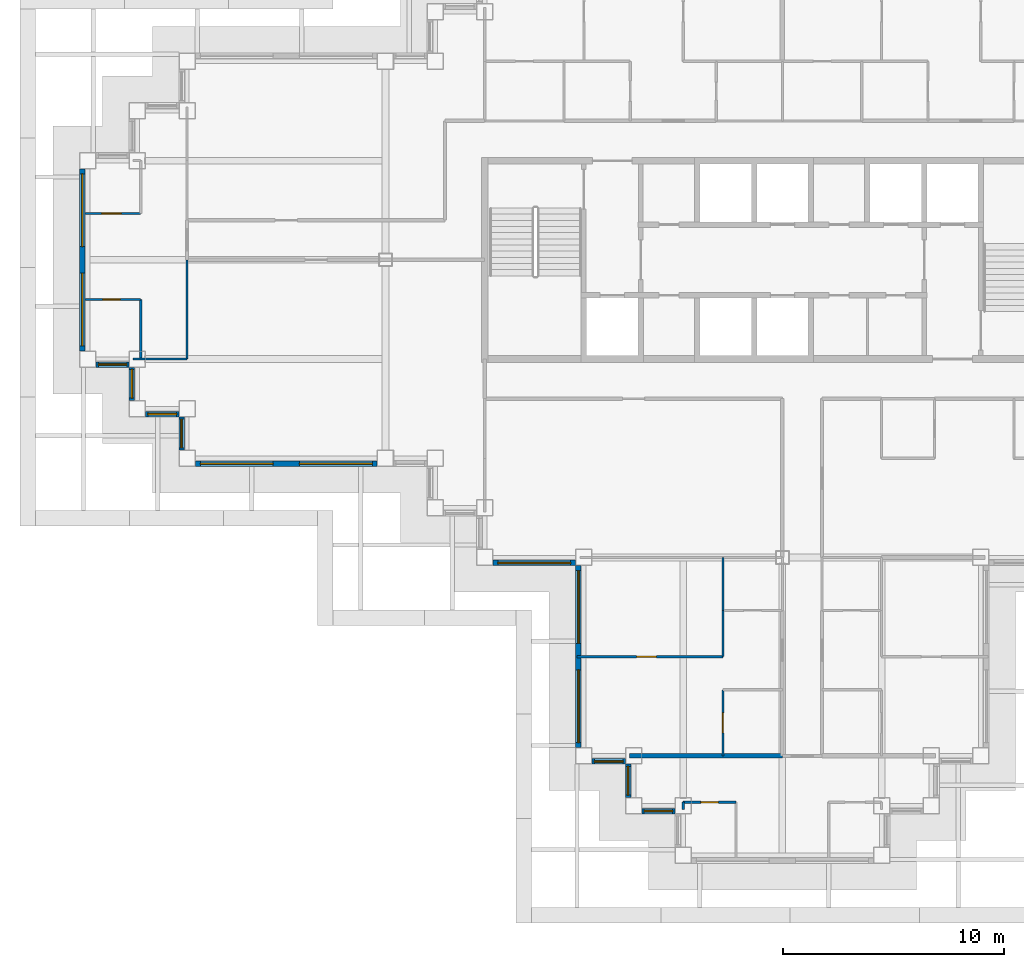
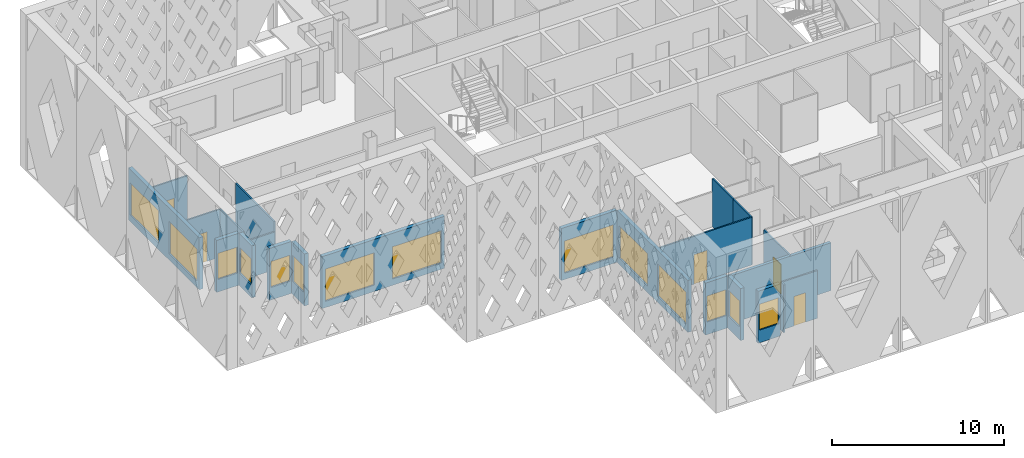
# One storey, part 3 of 18: 23 walls, 14 windows, 5 doors, 19 openings.
"""IFC4 building model written with IfcOpenShell, lengths in metres."""

import ifcopenshell
import ifcopenshell.guid

model = None  # the IFC model being written
_history = None  # IfcOwnerHistory: only IFC2X3 demands one
_inside = {}  # id of a spatial element -> (the spatial element, [elements in it])
_under = {}  # id of a project, library or spatial element -> (it, [spatial elements below it])
_declared = {}  # id of a project -> (the project, [libraries it declares])
_typed = {}  # id of a type object -> (the type object, [elements of that type])
_made_of = {}  # id of a material, layer set ... -> (it, [elements and type objects made of it])


def new_model(schema):
    """Start an empty IFC model of exactly this schema.

    Asked for "IFC4X3", IfcOpenShell would pick the latest addendum, in which some entities
    have other attributes; the version numbers below select the first issue.
    IFC2X3 requires an IfcOwnerHistory on every rooted entity: one is made here for all.
    """
    global model, _history
    if schema == "IFC4X3":
        model = ifcopenshell.file(schema_version=(4, 3, 0, 0))
    else:
        model = ifcopenshell.file(schema=schema)
    _inside.clear()
    _under.clear()
    _declared.clear()
    _typed.clear()
    _made_of.clear()
    _history = None
    if model.schema == "IFC2X3":
        org = make("IfcOrganization", Name="unknown")
        user = make(
            "IfcPersonAndOrganization",
            ThePerson=make("IfcPerson", FamilyName="unknown"),
            TheOrganization=org,
        )
        app = make(
            "IfcApplication",
            ApplicationDeveloper=org,
            Version="unknown",
            ApplicationFullName="unknown",
            ApplicationIdentifier="unknown",
        )
        _history = make(
            "IfcOwnerHistory",
            OwningUser=user,
            OwningApplication=app,
            ChangeAction="ADDED",
            CreationDate=0,
        )
    return model


def make(cls, **values):
    """One entity of the class cls with the attributes given. An attribute that is None is left unset."""
    return model.create_entity(
        cls, **{name: value for name, value in values.items() if value is not None}
    )


def rooted(cls, **values):
    """An entity with a GlobalId (a new one), such as an element, a storey or a relation."""
    return make(cls, GlobalId=ifcopenshell.guid.new(), OwnerHistory=_history, **values)


def si_unit(unit_type, name, prefix=None):
    """IfcSIUnit, for example si_unit("LENGTHUNIT", "METRE", prefix="MILLI")."""
    return make("IfcSIUnit", UnitType=unit_type, Prefix=prefix, Name=name)


def assignment(units):
    """IfcUnitAssignment: the units of a project."""
    return None if units is None else make("IfcUnitAssignment", Units=units)


def point(xyz):
    """IfcCartesianPoint."""
    return None if xyz is None else make("IfcCartesianPoint", Coordinates=xyz)


def direction(xyz):
    """IfcDirection."""
    return None if xyz is None else make("IfcDirection", DirectionRatios=xyz)


def frame(location, z_axis=None, x_axis=None):
    """IfcAxis2Placement3D, a coordinate frame: its origin and axes. An axis left out is left unset."""
    return make(
        "IfcAxis2Placement3D",
        Location=point(location),
        Axis=direction(z_axis),
        RefDirection=direction(x_axis),
    )


def frame_2d(location, x_axis=None):
    """IfcAxis2Placement2D, a coordinate frame in the plane: its origin and x axis."""
    return make(
        "IfcAxis2Placement2D", Location=point(location), RefDirection=direction(x_axis)
    )


def origin():
    """The frame at (0, 0, 0) with its axes left unset."""
    return frame((0.0, 0.0, 0.0))


def place(relative_to, where):
    """IfcLocalPlacement: puts the frame where relative to a parent placement (None: the world)."""
    return make(
        "IfcLocalPlacement", PlacementRelTo=relative_to, RelativePlacement=where
    )


def context(
    kind, dimensions, precision=None, world=None, true_north=None, identifier=None
):
    """IfcGeometricRepresentationContext, for example the 3D "Model" context."""
    return make(
        "IfcGeometricRepresentationContext",
        ContextIdentifier=identifier,
        ContextType=kind,
        CoordinateSpaceDimension=dimensions,
        Precision=precision,
        WorldCoordinateSystem=world,
        TrueNorth=true_north,
    )


def subcontext(parent, identifier, kind, view, scale=None):
    """IfcGeometricRepresentationSubContext, for example "Body" below "Model"."""
    return make(
        "IfcGeometricRepresentationSubContext",
        ContextIdentifier=identifier,
        ContextType=kind,
        ParentContext=parent,
        TargetScale=scale,
        TargetView=view,
    )


def project(units=None, contexts=None):
    """IfcProject with its units and contexts."""
    return rooted(
        "IfcProject",
        Name="project",
        RepresentationContexts=contexts,
        UnitsInContext=assignment(units),
    )


def spatial(cls, under=None, at=None, **own):
    """A site, building, storey or space (cls), placed at a placement, below another one or the project."""
    s = rooted(cls, ObjectPlacement=at, **own)
    if under is not None:
        _under.setdefault(under.id(), (under, []))[1].append(s)
    return s


def profile(cls, at=None, kind="AREA", **sizes):
    """A parametric profile (cls). Its sizes go by their IFC names, for example OverallWidth=200.0."""
    return make(cls, ProfileType=kind, Position=at, **sizes)


def rectangle(**sizes):
    """IfcRectangleProfileDef."""
    return profile("IfcRectangleProfileDef", **sizes)


def extrude(swept, where, along, depth):
    """IfcExtrudedAreaSolid: the profile swept, set in the frame where, extruded along a direction by depth."""
    return make(
        "IfcExtrudedAreaSolid",
        SweptArea=swept,
        Position=where,
        ExtrudedDirection=direction(along),
        Depth=depth,
    )


def shape(context_of_items, identifier, shape_type, items):
    """IfcShapeRepresentation: the items that make up one representation, for example the "Body"."""
    return make(
        "IfcShapeRepresentation",
        ContextOfItems=context_of_items,
        RepresentationIdentifier=identifier,
        RepresentationType=shape_type,
        Items=items,
    )


def material(Name=None, Category=None):
    """IfcMaterial."""
    return make("IfcMaterial", Name=Name, Category=Category)


def layer(
    of_material, thickness, ventilated=None, Name=None, Category=None, Priority=None
):
    """IfcMaterialLayer: one layer of a wall or slab, of a material (None: an air gap)."""
    return make(
        "IfcMaterialLayer",
        Material=of_material,
        LayerThickness=thickness,
        IsVentilated=ventilated,
        Name=Name,
        Category=Category,
        Priority=Priority,
    )


def layer_set(layers, Name=None):
    """IfcMaterialLayerSet."""
    return make("IfcMaterialLayerSet", MaterialLayers=layers, LayerSetName=Name)


def made_of(thing, what):
    """Note that an element or type object is made of a material, layer set ...; save() writes the relation."""
    if what is not None:
        _made_of.setdefault(what.id(), (what, []))[1].append(thing)
    return thing


def type_object(cls, material=None, **own):
    """A type object (cls), such as IfcWallType, which elements share."""
    return made_of(rooted(cls, **own), material)


def element(
    cls,
    number,
    at=None,
    inside=None,
    cuts=None,
    type_object=None,
    material=None,
    context=None,
    identifier="Body",
    shape_type=None,
    held_by="IfcProductDefinitionShape",
    body=None,
    shapes=None,
    **own,
):
    """One element of the class cls, such as IfcWall. Its Tag is "e" and its number.

    at: its placement. inside: the storey or other place that contains it. cuts: it is an
    opening in that element (IfcRelVoidsElement). A single representation is given by context,
    identifier, shape_type and body (its items); several are given by shapes. held_by: the class
    of the entity that holds the representations. save() writes the other relations.
    """
    e = rooted(cls, Tag="e%d" % number, ObjectPlacement=at, **own)
    if body is not None:
        shapes = [shape(context, identifier, shape_type, body)]
    if shapes is not None:
        e.Representation = make(held_by, Representations=shapes)
    if inside is not None:
        _inside.setdefault(inside.id(), (inside, []))[1].append(e)
    if cuts is not None:
        rooted(
            "IfcRelVoidsElement", RelatingBuildingElement=cuts, RelatedOpeningElement=e
        )
    if type_object is not None:
        _typed.setdefault(type_object.id(), (type_object, []))[1].append(e)
    return made_of(e, material)


def fill(opening, filler):
    """IfcRelFillsElement: the door or window that sits in an opening."""
    return rooted(
        "IfcRelFillsElement",
        RelatingOpeningElement=opening,
        RelatedBuildingElement=filler,
    )


def aggregate(whole, parts):
    """IfcRelAggregates: a whole, such as a stair, and the parts it consists of."""
    return rooted("IfcRelAggregates", RelatingObject=whole, RelatedObjects=parts)


def save(model, path):
    """Write the relations noted so far, then the file.

    IfcRelAggregates (storeys below a building ...), IfcRelContainedInSpatialStructure (elements
    in a storey), IfcRelDefinesByType, IfcRelAssociatesMaterial and IfcRelDeclares: one each for
    every whole, place, type object, material and project.
    """
    for whole, parts in _under.values():
        aggregate(whole, parts)
    for where, things in _inside.values():
        rooted(
            "IfcRelContainedInSpatialStructure",
            RelatedElements=things,
            RelatingStructure=where,
        )
    for kind, things in _typed.values():
        rooted("IfcRelDefinesByType", RelatedObjects=things, RelatingType=kind)
    for what, things in _made_of.values():
        rooted("IfcRelAssociatesMaterial", RelatedObjects=things, RelatingMaterial=what)
    for by, libraries in _declared.values():
        rooted("IfcRelDeclares", RelatingContext=by, RelatedDefinitions=libraries)
    model.write(path)


model = new_model("IFC4")

# Units and contexts
model_context = context("Model", 3, precision=1e-05, world=origin(), true_north=direction((0.0, 1.0)))
body_context = subcontext(model_context, "Body", "Model", "MODEL_VIEW")
ifc_project = project(units=[si_unit("LENGTHUNIT", "METRE"), si_unit("AREAUNIT", "SQUARE_METRE"), si_unit("VOLUMEUNIT", "CUBIC_METRE"), si_unit("PLANEANGLEUNIT", "RADIAN"), si_unit("MASSUNIT", "GRAM", prefix="KILO")], contexts=[model_context])

# Site, building, storey
site_placement = place(None, origin())
site = spatial("IfcSite", under=ifc_project, at=site_placement, CompositionType="ELEMENT")
building_placement = place(site_placement, origin())
building = spatial("IfcBuilding", under=site, at=building_placement, Name="Caravel Reach Hotel and Residences", CompositionType="ELEMENT")
storey_placement = place(building_placement, frame((0.0, 0.0, 176.5)))
storey = spatial("IfcBuildingStorey", under=building, at=storey_placement, Name="L44", CompositionType="ELEMENT", Elevation=176.5)

# Wall, opening, door
ifc_material_1 = material(Name="Gypsum board on steel stud", Category="steel")
ifc_layer_1 = layer(ifc_material_1, 0.10009765625)
ifc_layer_set_1 = layer_set([ifc_layer_1], Name="Bathroom pod wall 100 mm")
wall_type_1 = type_object("IfcWallType", Name="Bathroom pod wall 100 mm", PredefinedType="PARTITIONING", material=ifc_layer_set_1)
wall_1_placement = place(storey_placement, frame((27.0, 2.39990234375, 0.0), z_axis=(0.0, 0.0, 1.0), x_axis=(1.0, 0.0, 0.0)))
wall_1 = element("IfcWall", 1, at=wall_1_placement, inside=storey, type_object=wall_type_1, Name="L44 wall w092", PredefinedType="PARTITIONING", context=body_context, shape_type="SweptSolid", body=[
    extrude(rectangle(XDim=2.39990234375, YDim=0.10009765625, at=frame_2d((1.199951171875, 0.0))), origin(), (0.0, 0.0, 1.0), 3.39990234375),
])
opening_1_placement = place(wall_1_placement, frame((0.800048828125, 0.0, 0.0)))
opening_1 = element("IfcOpeningElement", 2, at=opening_1_placement, cuts=wall_1, Name="Opening D44-055", PredefinedType="OPENING", context=body_context, shape_type="SweptSolid", body=[
    extrude(rectangle(XDim=0.800048828125, YDim=2.10009765625, at=frame_2d((0.39990234375, 1.050048828125))), frame((0.0, 0.06005859375, 0.0), z_axis=(0.0, -1.0, 0.0), x_axis=(1.0, 0.0, 0.0)), (0.0, 0.0, 1.0), 0.1201171875),
])
ifc_material_2 = material(Name="Timber and steel door leaf", Category="steel")
door_type_1 = type_object("IfcDoorType", Name="Bathroom door 800 x 2100", OperationType="SINGLE_SWING_LEFT", PredefinedType="DOOR", material=ifc_material_2)
door_1_placement = place(opening_1_placement, origin())
door_1 = element("IfcDoor", 3, at=door_1_placement, inside=storey, type_object=door_type_1, Name="door D44-055", OperationType="SINGLE_SWING_LEFT", OverallHeight=2.10009765625, OverallWidth=0.800048828125, PredefinedType="DOOR", context=body_context, shape_type="SweptSolid", body=[
    extrude(rectangle(XDim=0.800048828125, YDim=2.10009765625, at=frame_2d((0.39990234375, 1.050048828125))), frame((0.0, 0.02490234375, 0.0), z_axis=(0.0, -1.0, 0.0), x_axis=(1.0, 0.0, 0.0)), (0.0, 0.0, 1.0), 0.050048828125),
])
fill(opening_1, door_1)

wall_2_placement = place(storey_placement, frame((-0.125, 25.199951171875, 0.0), z_axis=(0.0, 0.0, 1.0), x_axis=(1.0, 0.0, 0.0)))
wall_2 = element("IfcWall", 4, at=wall_2_placement, inside=storey, type_object=wall_type_1, Name="L44 wall w096", PredefinedType="PARTITIONING", context=body_context, shape_type="SweptSolid", body=[
    extrude(rectangle(XDim=2.52490234375, YDim=0.10009765625, at=frame_2d((1.262451171875, 0.0))), origin(), (0.0, 0.0, 1.0), 3.39990234375),
])
opening_2_placement = place(wall_2_placement, frame((0.800048828125, 0.0, 0.0)))
opening_2 = element("IfcOpeningElement", 5, at=opening_2_placement, cuts=wall_2, Name="Opening D44-049", PredefinedType="OPENING", context=body_context, shape_type="SweptSolid", body=[
    extrude(rectangle(XDim=0.800048828125, YDim=2.10009765625, at=frame_2d((0.39990234375, 1.050048828125))), frame((0.0, 0.06005859375, 0.0), z_axis=(0.0, -1.0, 0.0), x_axis=(1.0, 0.0, 0.0)), (0.0, 0.0, 1.0), 0.1201171875),
])
door_2_placement = place(opening_2_placement, origin())
door_2 = element("IfcDoor", 6, at=door_2_placement, inside=storey, type_object=door_type_1, Name="door D44-049", OperationType="SINGLE_SWING_RIGHT", OverallHeight=2.10009765625, OverallWidth=0.800048828125, PredefinedType="DOOR", context=body_context, shape_type="SweptSolid", body=[
    extrude(rectangle(XDim=0.800048828125, YDim=2.10009765625, at=frame_2d((0.39990234375, 1.050048828125))), frame((0.0, 0.02490234375, 0.0), z_axis=(0.0, -1.0, 0.0), x_axis=(1.0, 0.0, 0.0)), (0.0, 0.0, 1.0), 0.050048828125),
])
fill(opening_2, door_2)

# Walls
wall_3_placement = place(storey_placement, frame((2.39990234375, 22.5, 0.0), z_axis=(0.0, 0.0, 1.0), x_axis=(0.0, 1.0, 0.0)))
element("IfcWall", 7, at=wall_3_placement, inside=storey, type_object=wall_type_1, Name="L44 wall w107", PredefinedType="PARTITIONING", context=body_context, shape_type="SweptSolid", body=[
    extrude(rectangle(XDim=2.699951171875, YDim=0.10009765625, at=frame_2d((1.35009765625, 0.0))), origin(), (0.0, 0.0, 1.0), 3.39990234375),
])
wall_4_placement = place(storey_placement, frame((27.0, 2.06005859375, 0.0), z_axis=(0.0, 0.0, 1.0), x_axis=(0.0, 1.0, 0.0)))
element("IfcWall", 8, at=wall_4_placement, inside=storey, type_object=wall_type_1, Name="L44 wall w109", PredefinedType="PARTITIONING", context=body_context, shape_type="SweptSolid", body=[
    extrude(rectangle(XDim=0.33984375, YDim=0.10009765625, at=frame_2d((0.169921875, 0.0))), origin(), (0.0, 0.0, 1.0), 3.39990234375),
])
wall_5_placement = place(storey_placement, frame((28.800048828125, 11.10009765625, 0.0), z_axis=(0.0, 0.0, 1.0), x_axis=(0.0, 1.0, 0.0)))
element("IfcWall", 9, at=wall_5_placement, inside=storey, type_object=wall_type_1, Name="L44 wall w111", PredefinedType="PARTITIONING", context=body_context, shape_type="SweptSolid", body=[
    extrude(rectangle(XDim=2.39990234375, YDim=0.10009765625, at=frame_2d((1.199951171875, 0.0))), origin(), (0.0, 0.0, 1.0), 3.39990234375),
])

# Wall, opening, window
ifc_material_3 = material(Name="Insulated rainscreen wall, aluminium cladding", Category="aluminium")
ifc_layer_2 = layer(ifc_material_3, 0.25)
ifc_layer_set_2 = layer_set([ifc_layer_2], Name="EW1 Tower rainscreen wall")
wall_type_2 = type_object("IfcWallType", Name="EW1 Tower rainscreen wall", PredefinedType="SOLIDWALL", material=ifc_layer_set_2)
wall_6_placement = place(storey_placement, frame((22.875, 4.25, 0.0), z_axis=(0.0, 0.0, 1.0), x_axis=(1.0, 0.0, 0.0)))
wall_6 = element("IfcWall", 10, at=wall_6_placement, inside=storey, type_object=wall_type_2, Name="External wall L44 S1.1", PredefinedType="SOLIDWALL", context=body_context, shape_type="SweptSolid", body=[
    extrude(rectangle(XDim=1.5, YDim=0.25, at=frame_2d((0.75, 0.0))), origin(), (0.0, 0.0, 1.0), 3.699951171875),
])
opening_3_placement = place(wall_6_placement, frame((0.10009765625, 0.0, 0.89990234375)))
opening_3 = element("IfcOpeningElement", 11, at=opening_3_placement, cuts=wall_6, Name="Opening WN16", PredefinedType="OPENING", context=body_context, shape_type="SweptSolid", body=[
    extrude(rectangle(XDim=1.300048828125, YDim=1.85009765625, at=frame_2d((0.64990234375, 0.925048828125))), frame((0.0, 0.135009765625, 0.0), z_axis=(0.0, -1.0, 0.0), x_axis=(1.0, 0.0, 0.0)), (0.0, 0.0, 1.0), 0.27001953125),
])
ifc_material_4 = material(Name="Dark low-e glazing in black aluminium frame", Category="aluminium")
window_type_1 = type_object("IfcWindowType", Name="Residence bedroom window 1300 x 1850", PartitioningType="SINGLE_PANEL", PredefinedType="WINDOW", material=ifc_material_4)
window_1_placement = place(opening_3_placement, origin())
window_1 = element("IfcWindow", 12, at=window_1_placement, inside=storey, type_object=window_type_1, Name="Window L44 S1.1.1", OverallHeight=1.85009765625, OverallWidth=1.300048828125, PartitioningType="SINGLE_PANEL", PredefinedType="WINDOW", context=body_context, shape_type="SweptSolid", body=[
    extrude(rectangle(XDim=1.300048828125, YDim=1.85009765625, at=frame_2d((0.64990234375, 0.925048828125))), frame((0.0, 0.030029296875, 0.0), z_axis=(0.0, -1.0, 0.0), x_axis=(1.0, 0.0, 0.0)), (0.0, 0.0, 1.0), 0.06005859375),
])
fill(opening_3, window_1)

wall_7_placement = place(storey_placement, frame((24.5, 4.125, 0.0), z_axis=(0.0, 0.0, 1.0), x_axis=(0.0, -1.0, 0.0)))
wall_7 = element("IfcWall", 13, at=wall_7_placement, inside=storey, type_object=wall_type_2, Name="External wall L44 W2.1", PredefinedType="SOLIDWALL", context=body_context, shape_type="SweptSolid", body=[
    extrude(rectangle(XDim=1.5, YDim=0.25, at=frame_2d((0.75, 0.0))), origin(), (0.0, 0.0, 1.0), 3.699951171875),
])
opening_4_placement = place(wall_7_placement, frame((0.10009765625, 0.0, 0.89990234375)))
opening_4 = element("IfcOpeningElement", 14, at=opening_4_placement, cuts=wall_7, Name="Opening WN16", PredefinedType="OPENING", context=body_context, shape_type="SweptSolid", body=[
    extrude(rectangle(XDim=1.300048828125, YDim=1.85009765625, at=frame_2d((0.64990234375, 0.925048828125))), frame((0.0, 0.135009765625, 0.0), z_axis=(0.0, -1.0, 0.0), x_axis=(1.0, 0.0, 0.0)), (0.0, 0.0, 1.0), 0.27001953125),
])
window_2_placement = place(opening_4_placement, origin())
window_2 = element("IfcWindow", 15, at=window_2_placement, inside=storey, type_object=window_type_1, Name="Window L44 W2.1.1", OverallHeight=1.85009765625, OverallWidth=1.300048828125, PartitioningType="SINGLE_PANEL", PredefinedType="WINDOW", context=body_context, shape_type="SweptSolid", body=[
    extrude(rectangle(XDim=1.300048828125, YDim=1.85009765625, at=frame_2d((0.64990234375, 0.925048828125))), frame((0.0, 0.030029296875, 0.0), z_axis=(0.0, -1.0, 0.0), x_axis=(1.0, 0.0, 0.0)), (0.0, 0.0, 1.0), 0.06005859375),
])
fill(opening_4, window_2)

wall_8_placement = place(storey_placement, frame((25.125, 2.0, 0.0), z_axis=(0.0, 0.0, 1.0), x_axis=(1.0, 0.0, 0.0)))
wall_8 = element("IfcWall", 16, at=wall_8_placement, inside=storey, type_object=wall_type_2, Name="External wall L44 S3.1", PredefinedType="SOLIDWALL", context=body_context, shape_type="SweptSolid", body=[
    extrude(rectangle(XDim=1.5, YDim=0.25, at=frame_2d((0.75, 0.0))), origin(), (0.0, 0.0, 1.0), 3.699951171875),
])
opening_5_placement = place(wall_8_placement, frame((0.10009765625, 0.0, 0.89990234375)))
opening_5 = element("IfcOpeningElement", 17, at=opening_5_placement, cuts=wall_8, Name="Opening WN16", PredefinedType="OPENING", context=body_context, shape_type="SweptSolid", body=[
    extrude(rectangle(XDim=1.300048828125, YDim=1.85009765625, at=frame_2d((0.64990234375, 0.925048828125))), frame((0.0, 0.135009765625, 0.0), z_axis=(0.0, -1.0, 0.0), x_axis=(1.0, 0.0, 0.0)), (0.0, 0.0, 1.0), 0.27001953125),
])
window_3_placement = place(opening_5_placement, origin())
window_3 = element("IfcWindow", 18, at=window_3_placement, inside=storey, type_object=window_type_1, Name="Window L44 S3.1.1", OverallHeight=1.85009765625, OverallWidth=1.300048828125, PartitioningType="SINGLE_PANEL", PredefinedType="WINDOW", context=body_context, shape_type="SweptSolid", body=[
    extrude(rectangle(XDim=1.300048828125, YDim=1.85009765625, at=frame_2d((0.64990234375, 0.925048828125))), frame((0.0, 0.030029296875, 0.0), z_axis=(0.0, -1.0, 0.0), x_axis=(1.0, 0.0, 0.0)), (0.0, 0.0, 1.0), 0.06005859375),
])
fill(opening_5, window_3)

# Wall, openings, windows
wall_9_placement = place(storey_placement, frame((-0.25, 31.125, 0.0), z_axis=(0.0, 0.0, 1.0), x_axis=(0.0, -1.0, 0.0)))
wall_9 = element("IfcWall", 19, at=wall_9_placement, inside=storey, type_object=wall_type_2, Name="External wall L44 W38.1", PredefinedType="SOLIDWALL", context=body_context, shape_type="SweptSolid", body=[
    extrude(rectangle(XDim=8.25, YDim=0.25, at=frame_2d((4.125, 0.0))), origin(), (0.0, 0.0, 1.0), 3.699951171875),
])
opening_6_placement = place(wall_9_placement, frame((0.22509765625, 0.0, 0.449951171875)))
opening_6 = element("IfcOpeningElement", 20, at=opening_6_placement, cuts=wall_9, Name="Opening WN15", PredefinedType="OPENING", context=body_context, shape_type="SweptSolid", body=[
    extrude(rectangle(XDim=3.300048828125, YDim=2.300048828125, at=frame_2d((1.64990234375, 1.14990234375))), frame((0.0, 0.135009765625, 0.0), z_axis=(0.0, -1.0, 0.0), x_axis=(1.0, 0.0, 0.0)), (0.0, 0.0, 1.0), 0.27001953125),
])
opening_7_placement = place(wall_9_placement, frame((4.72509765625, 0.0, 0.449951171875)))
opening_7 = element("IfcOpeningElement", 21, at=opening_7_placement, cuts=wall_9, Name="Opening WN15", PredefinedType="OPENING", context=body_context, shape_type="SweptSolid", body=[
    extrude(rectangle(XDim=3.300048828125, YDim=2.300048828125, at=frame_2d((1.64990234375, 1.14990234375))), frame((0.0, 0.135009765625, 0.0), z_axis=(0.0, -1.0, 0.0), x_axis=(1.0, 0.0, 0.0)), (0.0, 0.0, 1.0), 0.27001953125),
])
ifc_material_5 = material(Name="Dark low-e glazing in black aluminium frame", Category="aluminium")
window_type_2 = type_object("IfcWindowType", Name="Residence living window 3300 x 2300", PartitioningType="SINGLE_PANEL", PredefinedType="WINDOW", material=ifc_material_5)
window_4_placement = place(opening_6_placement, origin())
window_4 = element("IfcWindow", 22, at=window_4_placement, inside=storey, type_object=window_type_2, Name="Window L44 W38.1.1", OverallHeight=2.300048828125, OverallWidth=3.300048828125, PartitioningType="SINGLE_PANEL", PredefinedType="WINDOW", context=body_context, shape_type="SweptSolid", body=[
    extrude(rectangle(XDim=3.300048828125, YDim=2.300048828125, at=frame_2d((1.64990234375, 1.14990234375))), frame((0.0, 0.030029296875, 0.0), z_axis=(0.0, -1.0, 0.0), x_axis=(1.0, 0.0, 0.0)), (0.0, 0.0, 1.0), 0.06005859375),
])
fill(opening_6, window_4)
window_5_placement = place(opening_7_placement, origin())
window_5 = element("IfcWindow", 23, at=window_5_placement, inside=storey, type_object=window_type_2, Name="Window L44 W38.1.2", OverallHeight=2.300048828125, OverallWidth=3.300048828125, PartitioningType="SINGLE_PANEL", PredefinedType="WINDOW", context=body_context, shape_type="SweptSolid", body=[
    extrude(rectangle(XDim=3.300048828125, YDim=2.300048828125, at=frame_2d((1.64990234375, 1.14990234375))), frame((0.0, 0.030029296875, 0.0), z_axis=(0.0, -1.0, 0.0), x_axis=(1.0, 0.0, 0.0)), (0.0, 0.0, 1.0), 0.06005859375),
])
fill(opening_7, window_5)

# Wall, opening, window
wall_10_placement = place(storey_placement, frame((0.375, 22.25, 0.0), z_axis=(0.0, 0.0, 1.0), x_axis=(1.0, 0.0, 0.0)))
wall_10 = element("IfcWall", 24, at=wall_10_placement, inside=storey, type_object=wall_type_2, Name="External wall L44 S39.1", PredefinedType="SOLIDWALL", context=body_context, shape_type="SweptSolid", body=[
    extrude(rectangle(XDim=1.5, YDim=0.25, at=frame_2d((0.75, 0.0))), origin(), (0.0, 0.0, 1.0), 3.699951171875),
])
opening_8_placement = place(wall_10_placement, frame((0.10009765625, 0.0, 0.89990234375)))
opening_8 = element("IfcOpeningElement", 25, at=opening_8_placement, cuts=wall_10, Name="Opening WN16", PredefinedType="OPENING", context=body_context, shape_type="SweptSolid", body=[
    extrude(rectangle(XDim=1.300048828125, YDim=1.85009765625, at=frame_2d((0.64990234375, 0.925048828125))), frame((0.0, 0.135009765625, 0.0), z_axis=(0.0, -1.0, 0.0), x_axis=(1.0, 0.0, 0.0)), (0.0, 0.0, 1.0), 0.27001953125),
])
window_6_placement = place(opening_8_placement, origin())
window_6 = element("IfcWindow", 26, at=window_6_placement, inside=storey, type_object=window_type_1, Name="Window L44 S39.1.1", OverallHeight=1.85009765625, OverallWidth=1.300048828125, PartitioningType="SINGLE_PANEL", PredefinedType="WINDOW", context=body_context, shape_type="SweptSolid", body=[
    extrude(rectangle(XDim=1.300048828125, YDim=1.85009765625, at=frame_2d((0.64990234375, 0.925048828125))), frame((0.0, 0.030029296875, 0.0), z_axis=(0.0, -1.0, 0.0), x_axis=(1.0, 0.0, 0.0)), (0.0, 0.0, 1.0), 0.06005859375),
])
fill(opening_8, window_6)

wall_11_placement = place(storey_placement, frame((2.0, 22.125, 0.0), z_axis=(0.0, 0.0, 1.0), x_axis=(0.0, -1.0, 0.0)))
wall_11 = element("IfcWall", 27, at=wall_11_placement, inside=storey, type_object=wall_type_2, Name="External wall L44 W40.1", PredefinedType="SOLIDWALL", context=body_context, shape_type="SweptSolid", body=[
    extrude(rectangle(XDim=1.5, YDim=0.25, at=frame_2d((0.75, 0.0))), origin(), (0.0, 0.0, 1.0), 3.699951171875),
])
opening_9_placement = place(wall_11_placement, frame((0.10009765625, 0.0, 0.89990234375)))
opening_9 = element("IfcOpeningElement", 28, at=opening_9_placement, cuts=wall_11, Name="Opening WN16", PredefinedType="OPENING", context=body_context, shape_type="SweptSolid", body=[
    extrude(rectangle(XDim=1.300048828125, YDim=1.85009765625, at=frame_2d((0.64990234375, 0.925048828125))), frame((0.0, 0.135009765625, 0.0), z_axis=(0.0, -1.0, 0.0), x_axis=(1.0, 0.0, 0.0)), (0.0, 0.0, 1.0), 0.27001953125),
])
window_7_placement = place(opening_9_placement, origin())
window_7 = element("IfcWindow", 29, at=window_7_placement, inside=storey, type_object=window_type_1, Name="Window L44 W40.1.1", OverallHeight=1.85009765625, OverallWidth=1.300048828125, PartitioningType="SINGLE_PANEL", PredefinedType="WINDOW", context=body_context, shape_type="SweptSolid", body=[
    extrude(rectangle(XDim=1.300048828125, YDim=1.85009765625, at=frame_2d((0.64990234375, 0.925048828125))), frame((0.0, 0.030029296875, 0.0), z_axis=(0.0, -1.0, 0.0), x_axis=(1.0, 0.0, 0.0)), (0.0, 0.0, 1.0), 0.06005859375),
])
fill(opening_9, window_7)

wall_12_placement = place(storey_placement, frame((2.625, 20.0, 0.0), z_axis=(0.0, 0.0, 1.0), x_axis=(1.0, 0.0, 0.0)))
wall_12 = element("IfcWall", 30, at=wall_12_placement, inside=storey, type_object=wall_type_2, Name="External wall L44 S41.1", PredefinedType="SOLIDWALL", context=body_context, shape_type="SweptSolid", body=[
    extrude(rectangle(XDim=1.5, YDim=0.25, at=frame_2d((0.75, 0.0))), origin(), (0.0, 0.0, 1.0), 3.699951171875),
])
opening_10_placement = place(wall_12_placement, frame((0.10009765625, 0.0, 0.89990234375)))
opening_10 = element("IfcOpeningElement", 31, at=opening_10_placement, cuts=wall_12, Name="Opening WN16", PredefinedType="OPENING", context=body_context, shape_type="SweptSolid", body=[
    extrude(rectangle(XDim=1.300048828125, YDim=1.85009765625, at=frame_2d((0.64990234375, 0.925048828125))), frame((0.0, 0.135009765625, 0.0), z_axis=(0.0, -1.0, 0.0), x_axis=(1.0, 0.0, 0.0)), (0.0, 0.0, 1.0), 0.27001953125),
])
window_8_placement = place(opening_10_placement, origin())
window_8 = element("IfcWindow", 32, at=window_8_placement, inside=storey, type_object=window_type_1, Name="Window L44 S41.1.1", OverallHeight=1.85009765625, OverallWidth=1.300048828125, PartitioningType="SINGLE_PANEL", PredefinedType="WINDOW", context=body_context, shape_type="SweptSolid", body=[
    extrude(rectangle(XDim=1.300048828125, YDim=1.85009765625, at=frame_2d((0.64990234375, 0.925048828125))), frame((0.0, 0.030029296875, 0.0), z_axis=(0.0, -1.0, 0.0), x_axis=(1.0, 0.0, 0.0)), (0.0, 0.0, 1.0), 0.06005859375),
])
fill(opening_10, window_8)

wall_13_placement = place(storey_placement, frame((4.25, 19.875, 0.0), z_axis=(0.0, 0.0, 1.0), x_axis=(0.0, -1.0, 0.0)))
wall_13 = element("IfcWall", 33, at=wall_13_placement, inside=storey, type_object=wall_type_2, Name="External wall L44 W42.1", PredefinedType="SOLIDWALL", context=body_context, shape_type="SweptSolid", body=[
    extrude(rectangle(XDim=1.5, YDim=0.25, at=frame_2d((0.75, 0.0))), origin(), (0.0, 0.0, 1.0), 3.699951171875),
])
opening_11_placement = place(wall_13_placement, frame((0.10009765625, 0.0, 0.89990234375)))
opening_11 = element("IfcOpeningElement", 34, at=opening_11_placement, cuts=wall_13, Name="Opening WN16", PredefinedType="OPENING", context=body_context, shape_type="SweptSolid", body=[
    extrude(rectangle(XDim=1.300048828125, YDim=1.85009765625, at=frame_2d((0.64990234375, 0.925048828125))), frame((0.0, 0.135009765625, 0.0), z_axis=(0.0, -1.0, 0.0), x_axis=(1.0, 0.0, 0.0)), (0.0, 0.0, 1.0), 0.27001953125),
])
window_9_placement = place(opening_11_placement, origin())
window_9 = element("IfcWindow", 35, at=window_9_placement, inside=storey, type_object=window_type_1, Name="Window L44 W42.1.1", OverallHeight=1.85009765625, OverallWidth=1.300048828125, PartitioningType="SINGLE_PANEL", PredefinedType="WINDOW", context=body_context, shape_type="SweptSolid", body=[
    extrude(rectangle(XDim=1.300048828125, YDim=1.85009765625, at=frame_2d((0.64990234375, 0.925048828125))), frame((0.0, 0.030029296875, 0.0), z_axis=(0.0, -1.0, 0.0), x_axis=(1.0, 0.0, 0.0)), (0.0, 0.0, 1.0), 0.06005859375),
])
fill(opening_11, window_9)

# Wall, openings, windows
wall_14_placement = place(storey_placement, frame((4.875, 17.75, 0.0), z_axis=(0.0, 0.0, 1.0), x_axis=(1.0, 0.0, 0.0)))
wall_14 = element("IfcWall", 36, at=wall_14_placement, inside=storey, type_object=wall_type_2, Name="External wall L44 S43.1", PredefinedType="SOLIDWALL", context=body_context, shape_type="SweptSolid", body=[
    extrude(rectangle(XDim=8.25, YDim=0.25, at=frame_2d((4.125, 0.0))), origin(), (0.0, 0.0, 1.0), 3.699951171875),
])
opening_12_placement = place(wall_14_placement, frame((0.22509765625, 0.0, 0.449951171875)))
opening_12 = element("IfcOpeningElement", 37, at=opening_12_placement, cuts=wall_14, Name="Opening WN15", PredefinedType="OPENING", context=body_context, shape_type="SweptSolid", body=[
    extrude(rectangle(XDim=3.300048828125, YDim=2.300048828125, at=frame_2d((1.64990234375, 1.14990234375))), frame((0.0, 0.135009765625, 0.0), z_axis=(0.0, -1.0, 0.0), x_axis=(1.0, 0.0, 0.0)), (0.0, 0.0, 1.0), 0.27001953125),
])
opening_13_placement = place(wall_14_placement, frame((4.72509765625, 0.0, 0.449951171875)))
opening_13 = element("IfcOpeningElement", 38, at=opening_13_placement, cuts=wall_14, Name="Opening WN15", PredefinedType="OPENING", context=body_context, shape_type="SweptSolid", body=[
    extrude(rectangle(XDim=3.300048828125, YDim=2.300048828125, at=frame_2d((1.64990234375, 1.14990234375))), frame((0.0, 0.135009765625, 0.0), z_axis=(0.0, -1.0, 0.0), x_axis=(1.0, 0.0, 0.0)), (0.0, 0.0, 1.0), 0.27001953125),
])
window_10_placement = place(opening_12_placement, origin())
window_10 = element("IfcWindow", 39, at=window_10_placement, inside=storey, type_object=window_type_2, Name="Window L44 S43.1.1", OverallHeight=2.300048828125, OverallWidth=3.300048828125, PartitioningType="SINGLE_PANEL", PredefinedType="WINDOW", context=body_context, shape_type="SweptSolid", body=[
    extrude(rectangle(XDim=3.300048828125, YDim=2.300048828125, at=frame_2d((1.64990234375, 1.14990234375))), frame((0.0, 0.030029296875, 0.0), z_axis=(0.0, -1.0, 0.0), x_axis=(1.0, 0.0, 0.0)), (0.0, 0.0, 1.0), 0.06005859375),
])
fill(opening_12, window_10)
window_11_placement = place(opening_13_placement, origin())
window_11 = element("IfcWindow", 40, at=window_11_placement, inside=storey, type_object=window_type_2, Name="Window L44 S43.1.2", OverallHeight=2.300048828125, OverallWidth=3.300048828125, PartitioningType="SINGLE_PANEL", PredefinedType="WINDOW", context=body_context, shape_type="SweptSolid", body=[
    extrude(rectangle(XDim=3.300048828125, YDim=2.300048828125, at=frame_2d((1.64990234375, 1.14990234375))), frame((0.0, 0.030029296875, 0.0), z_axis=(0.0, -1.0, 0.0), x_axis=(1.0, 0.0, 0.0)), (0.0, 0.0, 1.0), 0.06005859375),
])
fill(opening_13, window_11)

# Wall, opening, window
wall_15_placement = place(storey_placement, frame((18.375, 13.25, 0.0), z_axis=(0.0, 0.0, 1.0), x_axis=(1.0, 0.0, 0.0)))
wall_15 = element("IfcWall", 41, at=wall_15_placement, inside=storey, type_object=wall_type_2, Name="External wall L44 S47.1", PredefinedType="SOLIDWALL", context=body_context, shape_type="SweptSolid", body=[
    extrude(rectangle(XDim=3.75, YDim=0.25, at=frame_2d((1.875, 0.0))), origin(), (0.0, 0.0, 1.0), 3.699951171875),
])
opening_14_placement = place(wall_15_placement, frame((0.22509765625, 0.0, 0.449951171875)))
opening_14 = element("IfcOpeningElement", 42, at=opening_14_placement, cuts=wall_15, Name="Opening WN15", PredefinedType="OPENING", context=body_context, shape_type="SweptSolid", body=[
    extrude(rectangle(XDim=3.300048828125, YDim=2.300048828125, at=frame_2d((1.64990234375, 1.14990234375))), frame((0.0, 0.135009765625, 0.0), z_axis=(0.0, -1.0, 0.0), x_axis=(1.0, 0.0, 0.0)), (0.0, 0.0, 1.0), 0.27001953125),
])
window_12_placement = place(opening_14_placement, origin())
window_12 = element("IfcWindow", 43, at=window_12_placement, inside=storey, type_object=window_type_2, Name="Window L44 S47.1.1", OverallHeight=2.300048828125, OverallWidth=3.300048828125, PartitioningType="SINGLE_PANEL", PredefinedType="WINDOW", context=body_context, shape_type="SweptSolid", body=[
    extrude(rectangle(XDim=3.300048828125, YDim=2.300048828125, at=frame_2d((1.64990234375, 1.14990234375))), frame((0.0, 0.030029296875, 0.0), z_axis=(0.0, -1.0, 0.0), x_axis=(1.0, 0.0, 0.0)), (0.0, 0.0, 1.0), 0.06005859375),
])
fill(opening_14, window_12)

# Wall, openings, windows
wall_16_placement = place(storey_placement, frame((22.25, 13.125, 0.0), z_axis=(0.0, 0.0, 1.0), x_axis=(0.0, -1.0, 0.0)))
wall_16 = element("IfcWall", 44, at=wall_16_placement, inside=storey, type_object=wall_type_2, Name="External wall L44 W48.1", PredefinedType="SOLIDWALL", context=body_context, shape_type="SweptSolid", body=[
    extrude(rectangle(XDim=8.25, YDim=0.25, at=frame_2d((4.125, 0.0))), origin(), (0.0, 0.0, 1.0), 3.699951171875),
])
opening_15_placement = place(wall_16_placement, frame((0.22509765625, 0.0, 0.449951171875)))
opening_15 = element("IfcOpeningElement", 45, at=opening_15_placement, cuts=wall_16, Name="Opening WN15", PredefinedType="OPENING", context=body_context, shape_type="SweptSolid", body=[
    extrude(rectangle(XDim=3.300048828125, YDim=2.300048828125, at=frame_2d((1.64990234375, 1.14990234375))), frame((0.0, 0.135009765625, 0.0), z_axis=(0.0, -1.0, 0.0), x_axis=(1.0, 0.0, 0.0)), (0.0, 0.0, 1.0), 0.27001953125),
])
opening_16_placement = place(wall_16_placement, frame((4.72509765625, 0.0, 0.449951171875)))
opening_16 = element("IfcOpeningElement", 46, at=opening_16_placement, cuts=wall_16, Name="Opening WN15", PredefinedType="OPENING", context=body_context, shape_type="SweptSolid", body=[
    extrude(rectangle(XDim=3.300048828125, YDim=2.300048828125, at=frame_2d((1.64990234375, 1.14990234375))), frame((0.0, 0.135009765625, 0.0), z_axis=(0.0, -1.0, 0.0), x_axis=(1.0, 0.0, 0.0)), (0.0, 0.0, 1.0), 0.27001953125),
])
window_13_placement = place(opening_15_placement, origin())
window_13 = element("IfcWindow", 47, at=window_13_placement, inside=storey, type_object=window_type_2, Name="Window L44 W48.1.1", OverallHeight=2.300048828125, OverallWidth=3.300048828125, PartitioningType="SINGLE_PANEL", PredefinedType="WINDOW", context=body_context, shape_type="SweptSolid", body=[
    extrude(rectangle(XDim=3.300048828125, YDim=2.300048828125, at=frame_2d((1.64990234375, 1.14990234375))), frame((0.0, 0.030029296875, 0.0), z_axis=(0.0, -1.0, 0.0), x_axis=(1.0, 0.0, 0.0)), (0.0, 0.0, 1.0), 0.06005859375),
])
fill(opening_15, window_13)
window_14_placement = place(opening_16_placement, origin())
window_14 = element("IfcWindow", 48, at=window_14_placement, inside=storey, type_object=window_type_2, Name="Window L44 W48.1.2", OverallHeight=2.300048828125, OverallWidth=3.300048828125, PartitioningType="SINGLE_PANEL", PredefinedType="WINDOW", context=body_context, shape_type="SweptSolid", body=[
    extrude(rectangle(XDim=3.300048828125, YDim=2.300048828125, at=frame_2d((1.64990234375, 1.14990234375))), frame((0.0, 0.030029296875, 0.0), z_axis=(0.0, -1.0, 0.0), x_axis=(1.0, 0.0, 0.0)), (0.0, 0.0, 1.0), 0.06005859375),
])
fill(opening_16, window_14)

# Wall
ifc_material_6 = material(Name="Gypsum board on steel stud", Category="steel")
ifc_layer_3 = layer(ifc_material_6, 0.10009765625)
ifc_layer_set_3 = layer_set([ifc_layer_3], Name="Partition 100 mm")
wall_type_3 = type_object("IfcWallType", Name="Partition 100 mm", PredefinedType="PARTITIONING", material=ifc_layer_set_3)
wall_17_placement = place(storey_placement, frame((2.06005859375, 22.5, 0.0), z_axis=(0.0, 0.0, 1.0), x_axis=(1.0, 0.0, 0.0)))
element("IfcWall", 49, at=wall_17_placement, inside=storey, type_object=wall_type_3, Name="L44 wall w036", PredefinedType="PARTITIONING", context=body_context, shape_type="SweptSolid", body=[
    extrude(rectangle(XDim=2.43896484375, YDim=0.10009765625, at=frame_2d((1.219482421875, 0.0))), origin(), (0.0, 0.0, 1.0), 2.679931640625),
])

# Wall, opening, door
wall_18_placement = place(storey_placement, frame((-0.125, 29.10009765625, 0.0), z_axis=(0.0, 0.0, 1.0), x_axis=(1.0, 0.0, 0.0)))
wall_18 = element("IfcWall", 50, at=wall_18_placement, inside=storey, type_object=wall_type_3, Name="L44 wall w039", PredefinedType="PARTITIONING", context=body_context, shape_type="SweptSolid", body=[
    extrude(rectangle(XDim=2.52490234375, YDim=0.10009765625, at=frame_2d((1.262451171875, 0.0))), origin(), (0.0, 0.0, 1.0), 3.39990234375),
])
opening_17_placement = place(wall_18_placement, frame((0.75, 0.0, 0.0)))
opening_17 = element("IfcOpeningElement", 51, at=opening_17_placement, cuts=wall_18, Name="Opening D44-050", PredefinedType="OPENING", context=body_context, shape_type="SweptSolid", body=[
    extrude(rectangle(XDim=0.89990234375, YDim=2.10009765625, at=frame_2d((0.449951171875, 1.050048828125))), frame((0.0, 0.06005859375, 0.0), z_axis=(0.0, -1.0, 0.0), x_axis=(1.0, 0.0, 0.0)), (0.0, 0.0, 1.0), 0.1201171875),
])
ifc_material_7 = material(Name="Timber and steel door leaf", Category="steel")
door_type_2 = type_object("IfcDoorType", Name="Door 900 x 2100 timber", OperationType="SINGLE_SWING_LEFT", PredefinedType="DOOR", material=ifc_material_7)
door_3_placement = place(opening_17_placement, origin())
door_3 = element("IfcDoor", 52, at=door_3_placement, inside=storey, type_object=door_type_2, Name="door D44-050", OperationType="SINGLE_SWING_RIGHT", OverallHeight=2.10009765625, OverallWidth=0.89990234375, PredefinedType="DOOR", context=body_context, shape_type="SweptSolid", body=[
    extrude(rectangle(XDim=0.89990234375, YDim=2.10009765625, at=frame_2d((0.449951171875, 1.050048828125))), frame((0.0, 0.02490234375, 0.0), z_axis=(0.0, -1.0, 0.0), x_axis=(1.0, 0.0, 0.0)), (0.0, 0.0, 1.0), 0.050048828125),
])
fill(opening_17, door_3)

wall_19_placement = place(storey_placement, frame((22.18505859375, 9.0, 0.0), z_axis=(0.0, 0.0, 1.0), x_axis=(1.0, 0.0, 0.0)))
wall_19 = element("IfcWall", 53, at=wall_19_placement, inside=storey, type_object=wall_type_3, Name="L44 wall w051", PredefinedType="PARTITIONING", context=body_context, shape_type="SweptSolid", body=[
    extrude(rectangle(XDim=6.614990234375, YDim=0.10009765625, at=frame_2d((3.3076171875, 0.0))), origin(), (0.0, 0.0, 1.0), 3.39990234375),
])
opening_18_placement = place(wall_19_placement, frame((2.699951171875, 0.0, 0.0)))
opening_18 = element("IfcOpeningElement", 54, at=opening_18_placement, cuts=wall_19, Name="Opening D44-043", PredefinedType="OPENING", context=body_context, shape_type="SweptSolid", body=[
    extrude(rectangle(XDim=0.89990234375, YDim=2.10009765625, at=frame_2d((0.449951171875, 1.050048828125))), frame((0.0, 0.06005859375, 0.0), z_axis=(0.0, -1.0, 0.0), x_axis=(1.0, 0.0, 0.0)), (0.0, 0.0, 1.0), 0.1201171875),
])
door_4_placement = place(opening_18_placement, origin())
door_4 = element("IfcDoor", 55, at=door_4_placement, inside=storey, type_object=door_type_2, Name="door D44-043", OperationType="SINGLE_SWING_LEFT", OverallHeight=2.10009765625, OverallWidth=0.89990234375, PredefinedType="DOOR", context=body_context, shape_type="SweptSolid", body=[
    extrude(rectangle(XDim=0.89990234375, YDim=2.10009765625, at=frame_2d((0.449951171875, 1.050048828125))), frame((0.0, 0.02490234375, 0.0), z_axis=(0.0, -1.0, 0.0), x_axis=(1.0, 0.0, 0.0)), (0.0, 0.0, 1.0), 0.050048828125),
])
fill(opening_18, door_4)

# Wall
wall_20_placement = place(storey_placement, frame((28.800048828125, 9.0, 0.0), z_axis=(0.0, 0.0, 1.0), x_axis=(0.0, 1.0, 0.0)))
element("IfcWall", 56, at=wall_20_placement, inside=storey, type_object=wall_type_3, Name="L44 wall w059", PredefinedType="PARTITIONING", context=body_context, shape_type="SweptSolid", body=[
    extrude(rectangle(XDim=2.10009765625, YDim=0.10009765625, at=frame_2d((1.050048828125, 0.0))), origin(), (0.0, 0.0, 1.0), 3.39990234375),
])

# Wall, opening, door
wall_21_placement = place(storey_placement, frame((28.800048828125, 4.5, 0.0), z_axis=(0.0, 0.0, 1.0), x_axis=(0.0, 1.0, 0.0)))
wall_21 = element("IfcWall", 57, at=wall_21_placement, inside=storey, type_object=wall_type_3, Name="L44 wall w060", PredefinedType="PARTITIONING", context=body_context, shape_type="SweptSolid", body=[
    extrude(rectangle(XDim=3.0, YDim=0.10009765625, at=frame_2d((1.5, 0.0))), origin(), (0.0, 0.0, 1.0), 3.39990234375),
])
opening_19_placement = place(wall_21_placement, frame((1.050048828125, 0.0, 0.0)))
opening_19 = element("IfcOpeningElement", 58, at=opening_19_placement, cuts=wall_21, Name="Opening D44-041", PredefinedType="OPENING", context=body_context, shape_type="SweptSolid", body=[
    extrude(rectangle(XDim=0.89990234375, YDim=2.10009765625, at=frame_2d((0.449951171875, 1.050048828125))), frame((0.0, 0.06005859375, 0.0), z_axis=(0.0, -1.0, 0.0), x_axis=(1.0, 0.0, 0.0)), (0.0, 0.0, 1.0), 0.1201171875),
])
door_5_placement = place(opening_19_placement, origin())
door_5 = element("IfcDoor", 59, at=door_5_placement, inside=storey, type_object=door_type_2, Name="door D44-041", OperationType="SINGLE_SWING_LEFT", OverallHeight=2.10009765625, OverallWidth=0.89990234375, PredefinedType="DOOR", context=body_context, shape_type="SweptSolid", body=[
    extrude(rectangle(XDim=0.89990234375, YDim=2.10009765625, at=frame_2d((0.449951171875, 1.050048828125))), frame((0.0, 0.02490234375, 0.0), z_axis=(0.0, -1.0, 0.0), x_axis=(1.0, 0.0, 0.0)), (0.0, 0.0, 1.0), 0.050048828125),
])
fill(opening_19, door_5)

# Walls
wall_22_placement = place(storey_placement, frame((4.5, 22.5, 0.0), z_axis=(0.0, 0.0, 1.0), x_axis=(0.0, 1.0, 0.0)))
element("IfcWall", 60, at=wall_22_placement, inside=storey, type_object=wall_type_3, Name="L44 wall w069", PredefinedType="PARTITIONING", context=body_context, shape_type="SweptSolid", body=[
    extrude(rectangle(XDim=4.5, YDim=0.10009765625, at=frame_2d((2.25, 0.0))), origin(), (0.0, 0.0, 1.0), 3.39990234375),
])
ifc_material_8 = material(Name="Autoclaved aerated block wall")
ifc_layer_4 = layer(ifc_material_8, 0.199951171875)
ifc_layer_set_4 = layer_set([ifc_layer_4], Name="Party wall 200 mm EI 60")
wall_type_4 = type_object("IfcWallType", Name="Party wall 200 mm EI 60", PredefinedType="PARTITIONING", material=ifc_layer_set_4)
wall_23_placement = place(storey_placement, frame((24.56005859375, 4.5, 0.0), z_axis=(0.0, 0.0, 1.0), x_axis=(1.0, 0.0, 0.0)))
element("IfcWall", 61, at=wall_23_placement, inside=storey, type_object=wall_type_4, Name="L44 wall w081", PredefinedType="PARTITIONING", context=body_context, shape_type="SweptSolid", body=[
    extrude(rectangle(XDim=6.93994140625, YDim=0.199951171875, at=frame_2d((3.469970703125, 0.0))), origin(), (0.0, 0.0, 1.0), 3.39990234375),
])

save(model, "model.ifc")
